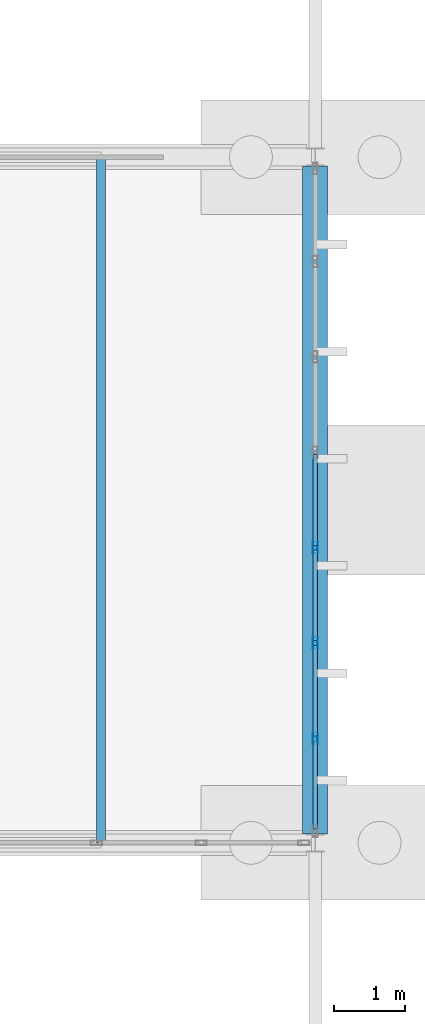
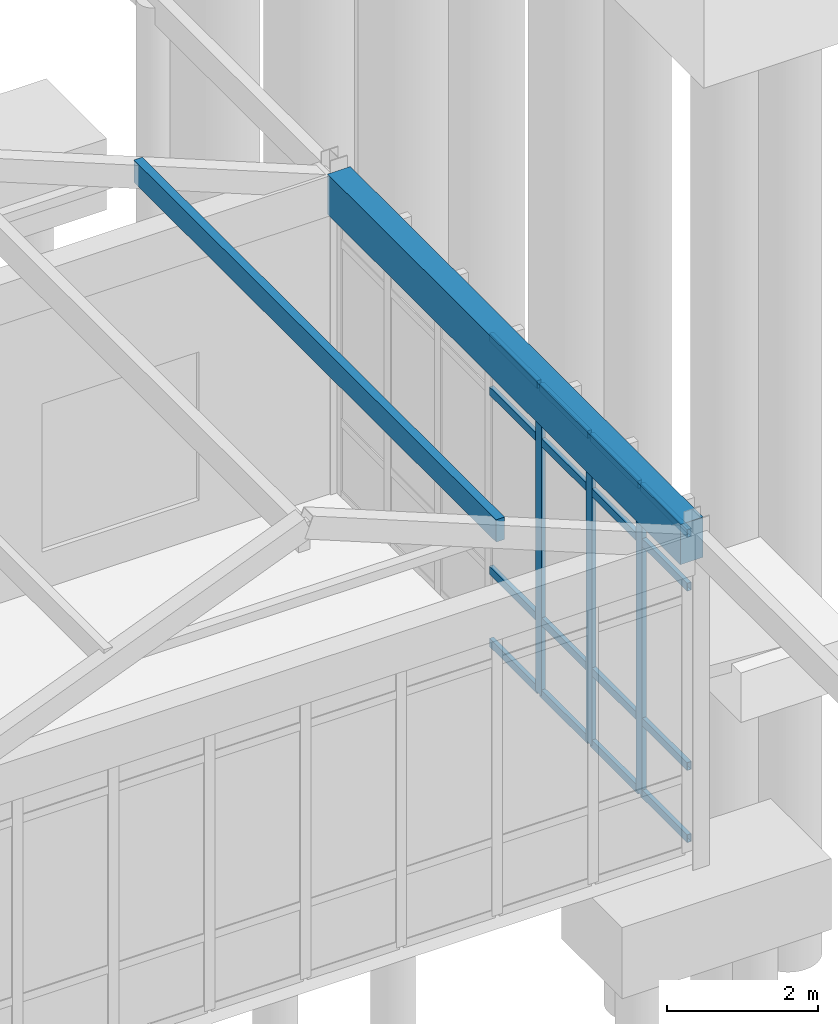
# One storey, part 51 of 188: 20 members, 1 beam, 1 element without a shape of its own.
"""IFC4 building model written with IfcOpenShell, lengths in metres."""

from ifc_helpers import new_model, si_unit, direction, frame, origin, origin_2d, place, context, subcontext, project, spatial, rectangle, hollow_rectangle, extrude, material, layer, layer_set, material_profile, profile_set, type_object, element, aggregate, save


model = new_model("IFC4")

# Units and contexts
model_context = context("Model", 3, precision=1e-05, world=origin(), true_north=direction((0.0, 1.0)))
body_context = subcontext(model_context, "Body", "Model", "MODEL_VIEW")
ifc_project = project(units=[si_unit("LENGTHUNIT", "METRE"), si_unit("AREAUNIT", "SQUARE_METRE"), si_unit("VOLUMEUNIT", "CUBIC_METRE"), si_unit("PLANEANGLEUNIT", "RADIAN"), si_unit("MASSUNIT", "GRAM", prefix="KILO")], contexts=[model_context])

# Site, building, storey
site_placement = place(None, origin())
site = spatial("IfcSite", under=ifc_project, at=site_placement, CompositionType="ELEMENT")
building_placement = place(site_placement, origin())
building = spatial("IfcBuilding", under=site, at=building_placement, Name="Pandanus Reach Market Hall", CompositionType="ELEMENT")
storey_placement = place(building_placement, origin())
storey = spatial("IfcBuildingStorey", under=building, at=storey_placement, Name="L00", CompositionType="ELEMENT", Elevation=0.0)

# Beam
ifc_material_1 = material(Name="Concrete N40 (40 MPa)", Category="concrete")
ifc_material_profile_1 = material_profile(ifc_material_1, rectangle(XDim=0.35009765625, YDim=0.64990234375, at=origin_2d()), Name="RC350x650", Category="LoadBearing")
ifc_profile_set_1 = profile_set([ifc_material_profile_1], Name="Concrete N40 (40 MPa)")
beam_type = type_object("IfcBeamType", Name="BM-RC350-E", PredefinedType="SPANDREL", material=ifc_profile_set_1)
beam_placement = place(storey_placement, frame((36.0, 57.72509765625, 4.8798828125), z_axis=(0.0, 1.0, 0.0), x_axis=(-1.0, 0.0, 0.0)))
element("IfcBeam", 1, at=beam_placement, inside=storey, type_object=beam_type, Name="Framing beam BM-RC350-E L00.1169", PredefinedType="SPANDREL", context=body_context, shape_type="SweptSolid", body=[
    extrude(rectangle(XDim=0.35009765625, YDim=0.64990234375, at=origin_2d()), origin(), (0.0, 0.0, 1.0), 9.349853515625),
])

# Curtain wall, members
ifc_material_2 = material(Name="Bronze anodised aluminium and low-E glass", Category="aluminium")
ifc_layer = layer(ifc_material_2, 0.159912109375, Name="CW-08")
ifc_layer_set = layer_set([ifc_layer], Name="Bronze anodised aluminium and low-E glass")
curtain_wall_type = type_object("IfcCurtainWallType", Name="CW-08", PredefinedType="NOTDEFINED", material=ifc_layer_set)
curtain_wall_placement = place(storey_placement, origin())
curtain_wall = element("IfcCurtainWall", 2, at=curtain_wall_placement, inside=storey, type_object=curtain_wall_type, Name="Glazed curtain wall CW-08 CW-0043", PredefinedType="NOTDEFINED")
ifc_material_3 = material(Name="Bronze anodised aluminium", Category="aluminium")
ifc_material_profile_2 = material_profile(ifc_material_3, hollow_rectangle(XDim=0.06494140625, YDim=0.159912109375, WallThickness=0.00390625, at=origin_2d()), Name="ALU65x160", Category="LoadBearing")
ifc_profile_set_2 = profile_set([ifc_material_profile_2], Name="Bronze anodised aluminium")
member_type_1 = type_object("IfcMemberType", Name="CW-M1", PredefinedType="MULLION", material=ifc_profile_set_2)
member_1_placement = place(storey_placement, frame((36.0, 59.062255859375, 0.0), z_axis=(0.0, 0.0, 1.0), x_axis=(-1.0, 0.0, 0.0)))
member_1 = element("IfcMember", 3, at=member_1_placement, type_object=member_type_1, Name="CW-08 mullion 2", PredefinedType="MULLION", context=body_context, shape_type="SweptSolid", body=[
    extrude(hollow_rectangle(XDim=0.06494140625, YDim=0.159912109375, WallThickness=0.00390625, at=origin_2d()), origin(), (0.0, 0.0, 1.0), 5.0),
])
member_2_placement = place(storey_placement, frame((36.0, 60.397216796875, 0.0), z_axis=(0.0, 0.0, 1.0), x_axis=(-1.0, 0.0, 0.0)))
member_2 = element("IfcMember", 4, at=member_2_placement, type_object=member_type_1, Name="CW-08 mullion 3", PredefinedType="MULLION", context=body_context, shape_type="SweptSolid", body=[
    extrude(hollow_rectangle(XDim=0.06494140625, YDim=0.159912109375, WallThickness=0.00390625, at=origin_2d()), origin(), (0.0, 0.0, 1.0), 5.0),
])
member_3_placement = place(storey_placement, frame((36.0, 61.732421875, 0.0), z_axis=(0.0, 0.0, 1.0), x_axis=(-1.0, 0.0, 0.0)))
member_3 = element("IfcMember", 5, at=member_3_placement, type_object=member_type_1, Name="CW-08 mullion 4", PredefinedType="MULLION", context=body_context, shape_type="SweptSolid", body=[
    extrude(hollow_rectangle(XDim=0.06494140625, YDim=0.159912109375, WallThickness=0.00390625, at=origin_2d()), origin(), (0.0, 0.0, 1.0), 5.0),
])
ifc_material_profile_3 = material_profile(ifc_material_3, hollow_rectangle(XDim=0.06494140625, YDim=0.1298828125, WallThickness=0.00390625, at=origin_2d()), Name="ALU65x130", Category="LoadBearing")
ifc_profile_set_3 = profile_set([ifc_material_profile_3], Name="Bronze anodised aluminium")
member_type_2 = type_object("IfcMemberType", Name="CW-T1", PredefinedType="USERDEFINED", material=ifc_profile_set_3)
member_4_placement = place(storey_placement, frame((36.0, 57.7919921875, 0.032470703125), z_axis=(0.0, 1.0, 0.0), x_axis=(-1.0, 0.0, 0.0)))
member_4 = element("IfcMember", 6, at=member_4_placement, type_object=member_type_2, Name="CW-08 transom 1.1", ObjectType="TRANSOM", PredefinedType="USERDEFINED", context=body_context, shape_type="SweptSolid", body=[
    extrude(hollow_rectangle(XDim=0.06494140625, YDim=0.1298828125, WallThickness=0.00390625, at=origin_2d()), origin(), (0.0, 0.0, 1.0), 1.237548828125),
])
member_5_placement = place(storey_placement, frame((36.0, 57.7919921875, 1.199951171875), z_axis=(0.0, 1.0, 0.0), x_axis=(-1.0, 0.0, 0.0)))
member_5 = element("IfcMember", 7, at=member_5_placement, type_object=member_type_2, Name="CW-08 transom 1.2", ObjectType="TRANSOM", PredefinedType="USERDEFINED", context=body_context, shape_type="SweptSolid", body=[
    extrude(hollow_rectangle(XDim=0.06494140625, YDim=0.1298828125, WallThickness=0.00390625, at=origin_2d()), origin(), (0.0, 0.0, 1.0), 1.237548828125),
])
member_6_placement = place(storey_placement, frame((36.0, 57.7919921875, 4.10009765625), z_axis=(0.0, 1.0, 0.0), x_axis=(-1.0, 0.0, 0.0)))
member_6 = element("IfcMember", 8, at=member_6_placement, type_object=member_type_2, Name="CW-08 transom 1.3", ObjectType="TRANSOM", PredefinedType="USERDEFINED", context=body_context, shape_type="SweptSolid", body=[
    extrude(hollow_rectangle(XDim=0.06494140625, YDim=0.1298828125, WallThickness=0.00390625, at=origin_2d()), origin(), (0.0, 0.0, 1.0), 1.237548828125),
])
member_7_placement = place(storey_placement, frame((36.0, 57.7919921875, 4.967529296875), z_axis=(0.0, 1.0, 0.0), x_axis=(-1.0, 0.0, 0.0)))
member_7 = element("IfcMember", 9, at=member_7_placement, type_object=member_type_2, Name="CW-08 transom 1.4", ObjectType="TRANSOM", PredefinedType="USERDEFINED", context=body_context, shape_type="SweptSolid", body=[
    extrude(hollow_rectangle(XDim=0.06494140625, YDim=0.1298828125, WallThickness=0.00390625, at=origin_2d()), origin(), (0.0, 0.0, 1.0), 1.237548828125),
])
member_8_placement = place(storey_placement, frame((36.0, 59.0947265625, 0.032470703125), z_axis=(0.0, 1.0, 0.0), x_axis=(-1.0, 0.0, 0.0)))
member_8 = element("IfcMember", 10, at=member_8_placement, type_object=member_type_2, Name="CW-08 transom 2.1", ObjectType="TRANSOM", PredefinedType="USERDEFINED", context=body_context, shape_type="SweptSolid", body=[
    extrude(hollow_rectangle(XDim=0.06494140625, YDim=0.1298828125, WallThickness=0.00390625, at=origin_2d()), origin(), (0.0, 0.0, 1.0), 1.27001953125),
])
member_9_placement = place(storey_placement, frame((36.0, 59.0947265625, 1.199951171875), z_axis=(0.0, 1.0, 0.0), x_axis=(-1.0, 0.0, 0.0)))
member_9 = element("IfcMember", 11, at=member_9_placement, type_object=member_type_2, Name="CW-08 transom 2.2", ObjectType="TRANSOM", PredefinedType="USERDEFINED", context=body_context, shape_type="SweptSolid", body=[
    extrude(hollow_rectangle(XDim=0.06494140625, YDim=0.1298828125, WallThickness=0.00390625, at=origin_2d()), origin(), (0.0, 0.0, 1.0), 1.27001953125),
])
member_10_placement = place(storey_placement, frame((36.0, 59.0947265625, 4.10009765625), z_axis=(0.0, 1.0, 0.0), x_axis=(-1.0, 0.0, 0.0)))
member_10 = element("IfcMember", 12, at=member_10_placement, type_object=member_type_2, Name="CW-08 transom 2.3", ObjectType="TRANSOM", PredefinedType="USERDEFINED", context=body_context, shape_type="SweptSolid", body=[
    extrude(hollow_rectangle(XDim=0.06494140625, YDim=0.1298828125, WallThickness=0.00390625, at=origin_2d()), origin(), (0.0, 0.0, 1.0), 1.27001953125),
])
member_11_placement = place(storey_placement, frame((36.0, 59.0947265625, 4.967529296875), z_axis=(0.0, 1.0, 0.0), x_axis=(-1.0, 0.0, 0.0)))
member_11 = element("IfcMember", 13, at=member_11_placement, type_object=member_type_2, Name="CW-08 transom 2.4", ObjectType="TRANSOM", PredefinedType="USERDEFINED", context=body_context, shape_type="SweptSolid", body=[
    extrude(hollow_rectangle(XDim=0.06494140625, YDim=0.1298828125, WallThickness=0.00390625, at=origin_2d()), origin(), (0.0, 0.0, 1.0), 1.27001953125),
])
member_12_placement = place(storey_placement, frame((36.0, 60.4296875, 0.032470703125), z_axis=(0.0, 1.0, 0.0), x_axis=(-1.0, 0.0, 0.0)))
member_12 = element("IfcMember", 14, at=member_12_placement, type_object=member_type_2, Name="CW-08 transom 3.1", ObjectType="TRANSOM", PredefinedType="USERDEFINED", context=body_context, shape_type="SweptSolid", body=[
    extrude(hollow_rectangle(XDim=0.06494140625, YDim=0.1298828125, WallThickness=0.00390625, at=origin_2d()), origin(), (0.0, 0.0, 1.0), 1.270263671875),
])
member_13_placement = place(storey_placement, frame((36.0, 60.4296875, 1.199951171875), z_axis=(0.0, 1.0, 0.0), x_axis=(-1.0, 0.0, 0.0)))
member_13 = element("IfcMember", 15, at=member_13_placement, type_object=member_type_2, Name="CW-08 transom 3.2", ObjectType="TRANSOM", PredefinedType="USERDEFINED", context=body_context, shape_type="SweptSolid", body=[
    extrude(hollow_rectangle(XDim=0.06494140625, YDim=0.1298828125, WallThickness=0.00390625, at=origin_2d()), origin(), (0.0, 0.0, 1.0), 1.270263671875),
])
member_14_placement = place(storey_placement, frame((36.0, 60.4296875, 4.10009765625), z_axis=(0.0, 1.0, 0.0), x_axis=(-1.0, 0.0, 0.0)))
member_14 = element("IfcMember", 16, at=member_14_placement, type_object=member_type_2, Name="CW-08 transom 3.3", ObjectType="TRANSOM", PredefinedType="USERDEFINED", context=body_context, shape_type="SweptSolid", body=[
    extrude(hollow_rectangle(XDim=0.06494140625, YDim=0.1298828125, WallThickness=0.00390625, at=origin_2d()), origin(), (0.0, 0.0, 1.0), 1.270263671875),
])
member_15_placement = place(storey_placement, frame((36.0, 60.4296875, 4.967529296875), z_axis=(0.0, 1.0, 0.0), x_axis=(-1.0, 0.0, 0.0)))
member_15 = element("IfcMember", 17, at=member_15_placement, type_object=member_type_2, Name="CW-08 transom 3.4", ObjectType="TRANSOM", PredefinedType="USERDEFINED", context=body_context, shape_type="SweptSolid", body=[
    extrude(hollow_rectangle(XDim=0.06494140625, YDim=0.1298828125, WallThickness=0.00390625, at=origin_2d()), origin(), (0.0, 0.0, 1.0), 1.270263671875),
])
member_16_placement = place(storey_placement, frame((36.0, 61.764892578125, 0.032470703125), z_axis=(0.0, 1.0, 0.0), x_axis=(-1.0, 0.0, 0.0)))
member_16 = element("IfcMember", 18, at=member_16_placement, type_object=member_type_2, Name="CW-08 transom 4.1", ObjectType="TRANSOM", PredefinedType="USERDEFINED", context=body_context, shape_type="SweptSolid", body=[
    extrude(hollow_rectangle(XDim=0.06494140625, YDim=0.1298828125, WallThickness=0.00390625, at=origin_2d()), origin(), (0.0, 0.0, 1.0), 1.270263671875),
])
member_17_placement = place(storey_placement, frame((36.0, 61.764892578125, 1.199951171875), z_axis=(0.0, 1.0, 0.0), x_axis=(-1.0, 0.0, 0.0)))
member_17 = element("IfcMember", 19, at=member_17_placement, type_object=member_type_2, Name="CW-08 transom 4.2", ObjectType="TRANSOM", PredefinedType="USERDEFINED", context=body_context, shape_type="SweptSolid", body=[
    extrude(hollow_rectangle(XDim=0.06494140625, YDim=0.1298828125, WallThickness=0.00390625, at=origin_2d()), origin(), (0.0, 0.0, 1.0), 1.270263671875),
])
member_18_placement = place(storey_placement, frame((36.0, 61.764892578125, 4.10009765625), z_axis=(0.0, 1.0, 0.0), x_axis=(-1.0, 0.0, 0.0)))
member_18 = element("IfcMember", 20, at=member_18_placement, type_object=member_type_2, Name="CW-08 transom 4.3", ObjectType="TRANSOM", PredefinedType="USERDEFINED", context=body_context, shape_type="SweptSolid", body=[
    extrude(hollow_rectangle(XDim=0.06494140625, YDim=0.1298828125, WallThickness=0.00390625, at=origin_2d()), origin(), (0.0, 0.0, 1.0), 1.270263671875),
])
member_19_placement = place(storey_placement, frame((36.0, 61.764892578125, 4.967529296875), z_axis=(0.0, 1.0, 0.0), x_axis=(-1.0, 0.0, 0.0)))
member_19 = element("IfcMember", 21, at=member_19_placement, type_object=member_type_2, Name="CW-08 transom 4.4", ObjectType="TRANSOM", PredefinedType="USERDEFINED", context=body_context, shape_type="SweptSolid", body=[
    extrude(hollow_rectangle(XDim=0.06494140625, YDim=0.1298828125, WallThickness=0.00390625, at=origin_2d()), origin(), (0.0, 0.0, 1.0), 1.270263671875),
])
aggregate(curtain_wall, [member_1, member_2, member_3, member_4, member_5, member_6, member_7, member_8, member_9, member_10, member_11, member_12, member_13, member_14, member_15, member_16, member_17, member_18, member_19])

# Member
ifc_material_4 = material(Name="Glulam timber GL17", Category="wood")
ifc_material_profile_4 = material_profile(ifc_material_4, rectangle(XDim=0.1298828125, YDim=0.360107421875, at=origin_2d()), Name="GL130x360", Category="LoadBearing")
ifc_profile_set_4 = profile_set([ifc_material_profile_4], Name="Glulam timber GL17")
member_type_3 = type_object("IfcMemberType", Name="PR-GL130-E", PredefinedType="PURLIN", material=ifc_profile_set_4)
member_20_placement = place(storey_placement, frame((33.0, 57.60009765625, 6.189697265625), z_axis=(0.0, 1.0, 0.0), x_axis=(-1.0, 0.0, 0.0)))
element("IfcMember", 22, at=member_20_placement, inside=storey, type_object=member_type_3, Name="Gable slope glulam purlin R2.B3E", PredefinedType="PURLIN", context=body_context, shape_type="SweptSolid", body=[
    extrude(rectangle(XDim=0.1298828125, YDim=0.360107421875, at=origin_2d()), origin(), (0.0, 0.0, 1.0), 9.599853515625),
])

save(model, "model.ifc")
